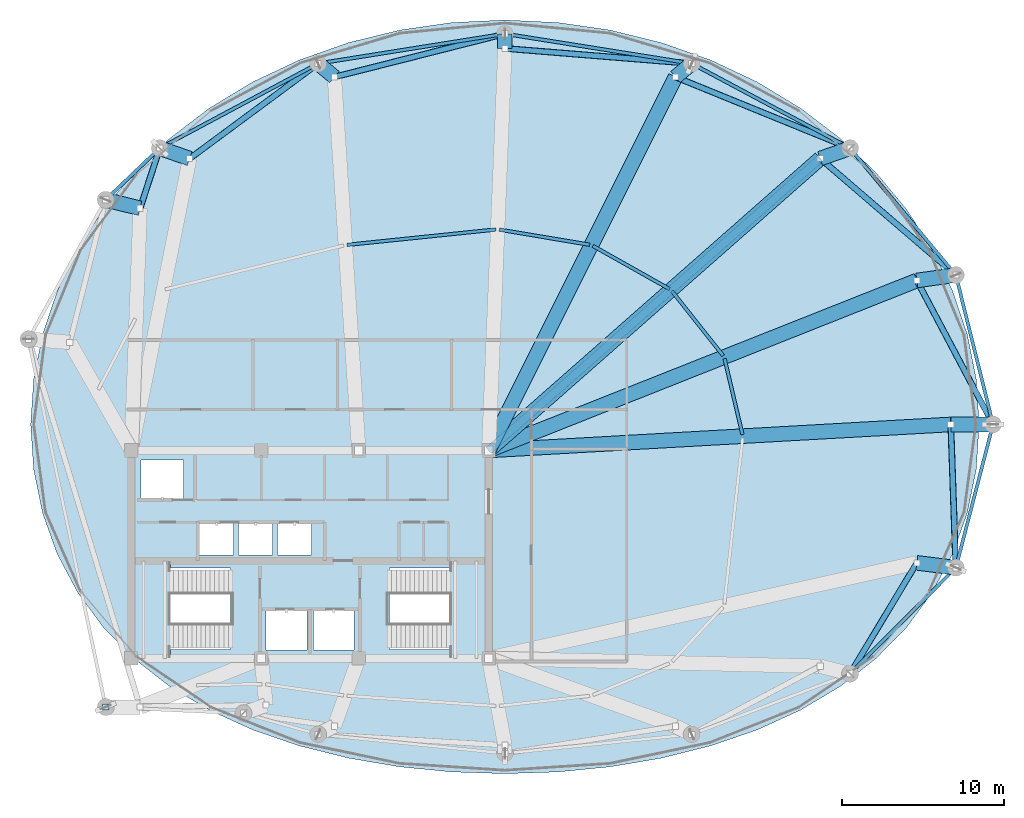
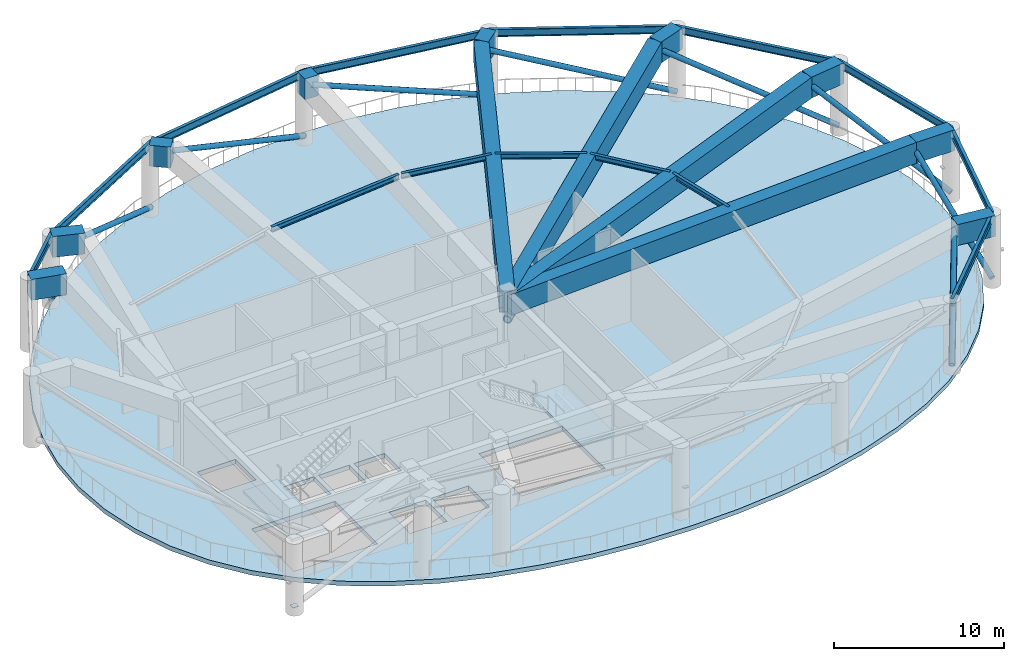
# One storey, part 2 of 9: 27 beams, 10 members, 3 slabs, 1 plate, 2 elements without a shape of their own.
"""IFC4 building model written with IfcOpenShell, lengths in metres."""

from ifc_helpers import new_model, si_unit, direction, frame, origin, origin_2d, place, context, subcontext, project, spatial, polyline, rectangle, hollow_circle, i_section, outline, extrude, material, layer, layer_set, material_profile, profile_set, type_object, element, aggregate, save


model = new_model("IFC4")

# Units and contexts
model_context = context("Model", 3, precision=1e-05, world=origin(), true_north=direction((0.0, 1.0)))
body_context = subcontext(model_context, "Body", "Model", "MODEL_VIEW")
ifc_project = project(units=[si_unit("LENGTHUNIT", "METRE"), si_unit("AREAUNIT", "SQUARE_METRE"), si_unit("VOLUMEUNIT", "CUBIC_METRE"), si_unit("PLANEANGLEUNIT", "RADIAN"), si_unit("MASSUNIT", "GRAM", prefix="KILO")], contexts=[model_context])

# Site, building, storey
site_placement = place(None, origin())
site = spatial("IfcSite", under=ifc_project, at=site_placement, CompositionType="ELEMENT")
building_placement = place(site_placement, origin())
building = spatial("IfcBuilding", under=site, at=building_placement, Name="Kazevale Care Tower and Concert Hall", CompositionType="ELEMENT")
storey_placement = place(building_placement, frame((0.0, 0.0, 253.199951171875)))
storey = spatial("IfcBuildingStorey", under=building, at=storey_placement, Name="L67", CompositionType="ELEMENT", Elevation=253.199951171875)

# Member
ifc_material_1 = material(Name="Steel ASTM A572 Gr 50", Category="steel")
ifc_material_profile_1 = material_profile(ifc_material_1, hollow_circle(Radius=0.25390625, WallThickness=0.031982421875, at=origin_2d()), Name="CHS508x32")
ifc_profile_set_1 = profile_set([ifc_material_profile_1], Name="Steel ASTM A572 Gr 50")
member_type_1 = type_object("IfcMemberType", Name="Outrigger Diagonal CHS508x32", PredefinedType="BRACE", material=ifc_profile_set_1)
member_1_placement = place(storey_placement, frame((44.0, 36.39990234375, 3.10009765625), z_axis=(0.749385950723, 0.659808159056, 0.055442674018), x_axis=(-0.660824591844, 0.750540377871, 0.0)))
element("IfcMember", 1, at=member_1_placement, inside=storey, type_object=member_type_1, Name="brace:L67:outrig:1", PredefinedType="BRACE", context=body_context, shape_type="SweptSolid", body=[
    extrude(hollow_circle(Radius=0.25390625, WallThickness=0.031982421875, at=origin_2d()), origin(), (0.0, 0.0, 1.0), 27.235595703125),
])

# Beams
ifc_material_2 = material(Name="Concrete C60", Category="concrete")
ifc_material_profile_2 = material_profile(ifc_material_2, rectangle(XDim=0.89990234375, YDim=1.5, at=origin_2d()), Name="RC-TG900x1500")
ifc_profile_set_2 = profile_set([ifc_material_profile_2], Name="Concrete C60")
beam_type_1 = type_object("IfcBeamType", Name="Podium Transfer Girder RC900x1500", PredefinedType="BEAM", material=ifc_profile_set_2)
beam_1_placement = place(storey_placement, frame((44.0, 36.39990234375, 4.41015625), z_axis=(0.998422130452, 0.056153801503, 0.0), x_axis=(-0.056153801503, 0.998422130452, 0.0)))
element("IfcBeam", 2, at=beam_1_placement, inside=storey, type_object=beam_type_1, Name="beam:L67:ztg_in:01", PredefinedType="BEAM", context=body_context, shape_type="SweptSolid", body=[
    extrude(rectangle(XDim=0.89990234375, YDim=1.5, at=origin_2d()), origin(), (0.0, 0.0, 1.0), 28.494873046875),
])
beam_2_placement = place(storey_placement, frame((72.449951171875, 38.0, 4.41015625), z_axis=(1.0, 0.0, 0.0), x_axis=(0.0, 1.0, 0.0)))
element("IfcBeam", 3, at=beam_2_placement, inside=storey, type_object=beam_type_1, Name="beam:L67:ztg_out:01", PredefinedType="BEAM", context=body_context, shape_type="SweptSolid", body=[
    extrude(rectangle(XDim=0.89990234375, YDim=1.5, at=origin_2d()), origin(), (0.0, 0.0, 1.0), 2.60009765625),
])
beam_3_placement = place(storey_placement, frame((44.0, 36.39990234375, 4.41015625), z_axis=(0.929492585064, 0.368840798057, 0.0), x_axis=(-0.368840798057, 0.929492585064, 0.0)))
element("IfcBeam", 4, at=beam_3_placement, inside=storey, type_object=beam_type_1, Name="beam:L67:ztg_in:02", PredefinedType="BEAM", context=body_context, shape_type="SweptSolid", body=[
    extrude(rectangle(XDim=0.89990234375, YDim=1.5, at=origin_2d()), origin(), (0.0, 0.0, 1.0), 28.359619140625),
])
beam_4_placement = place(storey_placement, frame((70.360107421875, 46.860107421875, 4.41015625), z_axis=(0.990121997015, 0.140208526942, 0.0), x_axis=(-0.140208526942, 0.990121997015, 0.0)))
element("IfcBeam", 5, at=beam_4_placement, inside=storey, type_object=beam_type_1, Name="beam:L67:ztg_out:02", PredefinedType="BEAM", context=body_context, shape_type="SweptSolid", body=[
    extrude(rectangle(XDim=0.89990234375, YDim=1.5, at=origin_2d()), origin(), (0.0, 0.0, 1.0), 2.423828125),
])
beam_5_placement = place(storey_placement, frame((44.0, 36.39990234375, 4.41015625), z_axis=(0.750540377871, 0.660824591844, 0.0), x_axis=(-0.660824591844, 0.750540377871, 0.0)))
element("IfcBeam", 6, at=beam_5_placement, inside=storey, type_object=beam_type_1, Name="beam:L67:ztg_in:03", PredefinedType="BEAM", context=body_context, shape_type="SweptSolid", body=[
    extrude(rectangle(XDim=0.89990234375, YDim=1.5, at=origin_2d()), origin(), (0.0, 0.0, 1.0), 27.193603515625),
])
beam_6_placement = place(storey_placement, frame((64.409912109375, 54.3701171875, 4.41015625), z_axis=(0.944518772722, 0.328457437084, 0.0), x_axis=(-0.328457437084, 0.944518772722, 0.0)))
element("IfcBeam", 7, at=beam_6_placement, inside=storey, type_object=beam_type_1, Name="beam:L67:ztg_out:03", PredefinedType="BEAM", context=body_context, shape_type="SweptSolid", body=[
    extrude(rectangle(XDim=0.89990234375, YDim=1.5, at=origin_2d()), origin(), (0.0, 0.0, 1.0), 1.9482421875),
])
beam_7_placement = place(storey_placement, frame((44.0, 36.39990234375, 4.41015625), z_axis=(0.447369347408, 0.894349298093, 0.0), x_axis=(-0.894349298093, 0.447369347408, 0.0)))
element("IfcBeam", 8, at=beam_7_placement, inside=storey, type_object=beam_type_1, Name="beam:L67:ztg_in:04", PredefinedType="BEAM", context=body_context, shape_type="SweptSolid", body=[
    extrude(rectangle(XDim=0.89990234375, YDim=1.5, at=origin_2d()), origin(), (0.0, 0.0, 1.0), 25.705810546875),
])
beam_8_placement = place(storey_placement, frame((55.5, 59.389892578125, 4.41015625), z_axis=(0.769451689672, 0.638705015841, 0.0), x_axis=(-0.638705015841, 0.769451689672, 0.0)))
element("IfcBeam", 9, at=beam_8_placement, inside=storey, type_object=beam_type_1, Name="beam:L67:ztg_out:04", PredefinedType="BEAM", context=body_context, shape_type="SweptSolid", body=[
    extrude(rectangle(XDim=0.89990234375, YDim=1.5, at=origin_2d()), origin(), (0.0, 0.0, 1.0), 1.299560546875),
])
beam_9_placement = place(storey_placement, frame((45.0, 61.14990234375, 4.41015625), z_axis=(0.0, 1.0, 0.0), x_axis=(-1.0, 0.0, 0.0)))
element("IfcBeam", 10, at=beam_9_placement, inside=storey, type_object=beam_type_1, Name="beam:L67:ztg_out:05", PredefinedType="BEAM", context=body_context, shape_type="SweptSolid", body=[
    extrude(rectangle(XDim=0.89990234375, YDim=1.5, at=origin_2d()), origin(), (0.0, 0.0, 1.0), 0.900146484375),
])
beam_10_placement = place(storey_placement, frame((34.5, 59.389892578125, 4.41015625), z_axis=(-0.769451689672, 0.638705015841, 0.0), x_axis=(-0.638705015841, -0.769451689672, 0.0)))
element("IfcBeam", 11, at=beam_10_placement, inside=storey, type_object=beam_type_1, Name="beam:L67:ztg_out:06", PredefinedType="BEAM", context=body_context, shape_type="SweptSolid", body=[
    extrude(rectangle(XDim=0.89990234375, YDim=1.5, at=origin_2d()), origin(), (0.0, 0.0, 1.0), 1.299560546875),
])
beam_11_placement = place(storey_placement, frame((25.590087890625, 54.3701171875, 4.41015625), z_axis=(-0.944518772722, 0.328457437084, 0.0), x_axis=(-0.328457437084, -0.944518772722, 0.0)))
element("IfcBeam", 12, at=beam_11_placement, inside=storey, type_object=beam_type_1, Name="beam:L67:ztg_out:07", PredefinedType="BEAM", context=body_context, shape_type="SweptSolid", body=[
    extrude(rectangle(XDim=0.89990234375, YDim=1.5, at=origin_2d()), origin(), (0.0, 0.0, 1.0), 1.9482421875),
])
beam_12_placement = place(storey_placement, frame((22.5400390625, 51.31005859375, 4.41015625), z_axis=(-0.971211820524, 0.23821754695, 0.0), x_axis=(-0.23821754695, -0.971211820524, 0.0)))
element("IfcBeam", 13, at=beam_12_placement, inside=storey, type_object=beam_type_1, Name="beam:L67:ztg_out:08", PredefinedType="BEAM", context=body_context, shape_type="SweptSolid", body=[
    extrude(rectangle(XDim=0.89990234375, YDim=1.5, at=origin_2d()), origin(), (0.0, 0.0, 1.0), 2.182861328125),
])
beam_13_placement = place(storey_placement, frame((70.360107421875, 29.47998046875, 4.41015625), z_axis=(0.992274770448, -0.124059582185, 0.0), x_axis=(0.124059582185, 0.992274770448, 0.0)))
element("IfcBeam", 14, at=beam_13_placement, inside=storey, type_object=beam_type_1, Name="beam:L67:ztg_out:16", PredefinedType="BEAM", context=body_context, shape_type="SweptSolid", body=[
    extrude(rectangle(XDim=0.89990234375, YDim=1.5, at=origin_2d()), origin(), (0.0, 0.0, 1.0), 2.418701171875),
])
ifc_material_profile_3 = material_profile(ifc_material_1, i_section(OverallWidth=0.205078125, OverallDepth=0.35400390625, WebThickness=0.009521484375, FlangeThickness=0.016845703125, at=origin_2d()), Name="W360x79")
ifc_profile_set_3 = profile_set([ifc_material_profile_3], Name="Steel ASTM A572 Gr 50")
beam_type_2 = type_object("IfcBeamType", Name="Secondary Floor Joist W360x79", PredefinedType="JOIST", material=ifc_profile_set_3)
beam_14_placement = place(storey_placement, frame((59.623046875, 37.382080078125, 4.983154296875), z_axis=(-0.2295328947, 0.973300904269, 0.0), x_axis=(-0.973300904269, -0.2295328947, 0.0)))
element("IfcBeam", 15, at=beam_14_placement, inside=storey, type_object=beam_type_2, Name="beam:L67:joist:01", PredefinedType="JOIST", context=body_context, shape_type="SweptSolid", body=[
    extrude(i_section(OverallWidth=0.205078125, OverallDepth=0.35400390625, WebThickness=0.009521484375, FlangeThickness=0.016845703125, at=origin_2d()), origin(), (0.0, 0.0, 1.0), 4.797119140625),
])
beam_15_placement = place(storey_placement, frame((58.43310546875, 42.235107421875, 4.983154296875), z_axis=(-0.621004461172, 0.783807029315, 0.0), x_axis=(-0.783807029315, -0.621004461172, 0.0)))
element("IfcBeam", 16, at=beam_15_placement, inside=storey, type_object=beam_type_2, Name="beam:L67:joist:02", PredefinedType="JOIST", context=body_context, shape_type="SweptSolid", body=[
    extrude(i_section(OverallWidth=0.205078125, OverallDepth=0.35400390625, WebThickness=0.009521484375, FlangeThickness=0.016845703125, at=origin_2d()), origin(), (0.0, 0.0, 1.0), 5.0595703125),
])
beam_16_placement = place(storey_placement, frame((55.134033203125, 46.3349609375, 4.983154296875), z_axis=(-0.871253873352, 0.490832647823, 0.0), x_axis=(-0.490832647823, -0.871253873352, 0.0)))
element("IfcBeam", 17, at=beam_16_placement, inside=storey, type_object=beam_type_2, Name="beam:L67:joist:03", PredefinedType="JOIST", context=body_context, shape_type="SweptSolid", body=[
    extrude(i_section(OverallWidth=0.205078125, OverallDepth=0.35400390625, WebThickness=0.009521484375, FlangeThickness=0.016845703125, at=origin_2d()), origin(), (0.0, 0.0, 1.0), 5.415283203125),
])
beam_17_placement = place(storey_placement, frame((50.220947265625, 49.06201171875, 4.983154296875), z_axis=(-0.986241534462, 0.165310724705, 0.0), x_axis=(-0.165310724705, -0.986241534462, 0.0)))
element("IfcBeam", 18, at=beam_17_placement, inside=storey, type_object=beam_type_2, Name="beam:L67:joist:04", PredefinedType="JOIST", context=body_context, shape_type="SweptSolid", body=[
    extrude(i_section(OverallWidth=0.205078125, OverallDepth=0.35400390625, WebThickness=0.009521484375, FlangeThickness=0.016845703125, at=origin_2d()), origin(), (0.0, 0.0, 1.0), 5.64453125),
])
beam_18_placement = place(storey_placement, frame((44.446044921875, 50.001953125, 4.983154296875), z_axis=(-0.994706089671, -0.10276086401, 0.0), x_axis=(0.10276086401, -0.994706089671, 0.0)))
element("IfcBeam", 19, at=beam_18_placement, inside=storey, type_object=beam_type_2, Name="beam:L67:joist:05", PredefinedType="JOIST", context=body_context, shape_type="SweptSolid", body=[
    extrude(i_section(OverallWidth=0.205078125, OverallDepth=0.35400390625, WebThickness=0.009521484375, FlangeThickness=0.016845703125, at=origin_2d()), origin(), (0.0, 0.0, 1.0), 9.2158203125),
])

# Members
ifc_material_profile_4 = material_profile(ifc_material_1, hollow_circle(Radius=0.177734375, WallThickness=0.02490234375, at=origin_2d()), Name="CHS356x25")
ifc_profile_set_4 = profile_set([ifc_material_profile_4], Name="Steel ASTM A572 Gr 50")
member_type_2 = type_object("IfcMemberType", Name="Upper Belt Diagonal CHS356x25", PredefinedType="BRACE", material=ifc_profile_set_4)
member_2_placement = place(storey_placement, frame((75.050048828125, 38.0, 0.400146484375), z_axis=(-0.431340685309, 0.814876877175, 0.387196188311), x_axis=(-0.883816941519, -0.467832890981, 0.0)))
element("IfcMember", 20, at=member_2_placement, inside=storey, type_object=member_type_2, Name="brace:L67:belt:01", PredefinedType="BRACE", context=body_context, shape_type="SweptSolid", body=[
    extrude(hollow_circle(Radius=0.177734375, WallThickness=0.02490234375, at=origin_2d()), origin(), (0.0, 0.0, 1.0), 10.873046875),
])
member_3_placement = place(storey_placement, frame((72.760009765625, 47.199951171875, 0.400146484375), z_axis=(-0.708605065163, 0.608473836582, 0.357265240152), x_axis=(-0.651468845445, -0.758675387379, 0.0)))
element("IfcMember", 21, at=member_3_placement, inside=storey, type_object=member_type_2, Name="brace:L67:belt:02", PredefinedType="BRACE", context=body_context, shape_type="SweptSolid", body=[
    extrude(hollow_circle(Radius=0.177734375, WallThickness=0.02490234375, at=origin_2d()), origin(), (0.0, 0.0, 1.0), 11.783935546875),
])
member_4_placement = place(storey_placement, frame((66.25, 55.010009765625, 0.400146484375), z_axis=(-0.87059620628, 0.354707847489, 0.340946606584), x_axis=(-0.37731559342, -0.926084738543, 0.0)))
element("IfcMember", 22, at=member_4_placement, inside=storey, type_object=member_type_2, Name="brace:L67:belt:03", PredefinedType="BRACE", context=body_context, shape_type="SweptSolid", body=[
    extrude(hollow_circle(Radius=0.177734375, WallThickness=0.02490234375, at=origin_2d()), origin(), (0.0, 0.0, 1.0), 12.347900390625),
])
member_5_placement = place(storey_placement, frame((56.5, 60.219970703125, 0.400146484375), z_axis=(-0.936357459406, 0.075717254647, 0.342785071968), x_axis=(-0.080600529889, -0.99674648461, 0.0)))
element("IfcMember", 23, at=member_5_placement, inside=storey, type_object=member_type_2, Name="brace:L67:belt:04", PredefinedType="BRACE", context=body_context, shape_type="SweptSolid", body=[
    extrude(hollow_circle(Radius=0.177734375, WallThickness=0.02490234375, at=origin_2d()), origin(), (0.0, 0.0, 1.0), 12.28173828125),
])
member_6_placement = place(storey_placement, frame((45.0, 62.050048828125, 0.400146484375), z_axis=(-0.903528132496, -0.228907238925, 0.362268394642), x_axis=(0.245589172708, -0.969374003287, 0.0)))
element("IfcMember", 24, at=member_6_placement, inside=storey, type_object=member_type_2, Name="brace:L67:belt:05", PredefinedType="BRACE", context=body_context, shape_type="SweptSolid", body=[
    extrude(hollow_circle(Radius=0.177734375, WallThickness=0.02490234375, at=origin_2d()), origin(), (0.0, 0.0, 1.0), 11.62109375),
])
member_7_placement = place(storey_placement, frame((33.5, 60.219970703125, 0.400146484375), z_axis=(-0.739175473636, -0.546664511985, 0.393417755714), x_axis=(0.594614320801, -0.804011075482, 0.0)))
element("IfcMember", 25, at=member_7_placement, inside=storey, type_object=member_type_2, Name="brace:L67:belt:06", PredefinedType="BRACE", context=body_context, shape_type="SweptSolid", body=[
    extrude(hollow_circle(Radius=0.177734375, WallThickness=0.02490234375, at=origin_2d()), origin(), (0.0, 0.0, 1.0), 10.700927734375),
])
member_8_placement = place(storey_placement, frame((23.75, 55.010009765625, 0.400146484375), z_axis=(-0.211019464371, -0.645278446842, 0.734225109689), x_axis=(0.950467892191, -0.31082275643, 0.0)))
element("IfcMember", 26, at=member_8_placement, inside=storey, type_object=member_type_2, Name="brace:L67:belt:07", PredefinedType="BRACE", context=body_context, shape_type="SweptSolid", body=[
    extrude(hollow_circle(Radius=0.177734375, WallThickness=0.02490234375, at=origin_2d()), origin(), (0.0, 0.0, 1.0), 5.73388671875),
])
member_9_placement = place(storey_placement, frame((66.25, 22.64990234375, 0.400146484375), z_axis=(0.455928565885, 0.757651176667, 0.467005179098), x_axis=(-0.856824712689, 0.515607808054, 0.0)))
element("IfcMember", 27, at=member_9_placement, inside=storey, type_object=member_type_2, Name="brace:L67:belt:15", PredefinedType="BRACE", context=body_context, shape_type="SweptSolid", body=[
    extrude(hollow_circle(Radius=0.177734375, WallThickness=0.02490234375, at=origin_2d()), origin(), (0.0, 0.0, 1.0), 9.014892578125),
])
member_10_placement = place(storey_placement, frame((72.760009765625, 29.179931640625, 0.400146484375), z_axis=(-0.031709115999, 0.902011995022, 0.430544878959), x_axis=(-0.999382678569, -0.035132061942, 0.0)))
element("IfcMember", 28, at=member_10_placement, inside=storey, type_object=member_type_2, Name="brace:L67:belt:16", PredefinedType="BRACE", context=body_context, shape_type="SweptSolid", body=[
    extrude(hollow_circle(Radius=0.177734375, WallThickness=0.02490234375, at=origin_2d()), origin(), (0.0, 0.0, 1.0), 9.7783203125),
])

# Beams
ifc_material_profile_5 = material_profile(ifc_material_1, i_section(OverallWidth=0.208984375, OverallDepth=0.532958984375, WebThickness=0.01025390625, FlangeThickness=0.015625, at=origin_2d()), Name="W530x92")
ifc_profile_set_5 = profile_set([ifc_material_profile_5], Name="Steel ASTM A572 Gr 50")
beam_type_3 = type_object("IfcBeamType", Name="Upper Ring Beam W530x92", PredefinedType="BEAM", material=ifc_profile_set_5)
beam_19_placement = place(storey_placement, frame((75.050048828125, 38.0, 4.8935546875), z_axis=(-0.241547858543, 0.970388907621, 0.0), x_axis=(-0.970388907621, -0.241547858543, 0.0)))
element("IfcBeam", 29, at=beam_19_placement, inside=storey, type_object=beam_type_3, Name="beam:L67:ring:01", PredefinedType="BEAM", context=body_context, shape_type="SweptSolid", body=[
    extrude(i_section(OverallWidth=0.208984375, OverallDepth=0.532958984375, WebThickness=0.01025390625, FlangeThickness=0.015625, at=origin_2d()), origin(), (0.0, 0.0, 1.0), 9.480712890625),
])
beam_20_placement = place(storey_placement, frame((72.760009765625, 47.199951171875, 4.8935546875), z_axis=(-0.640278868102, 0.768142546056, 0.0), x_axis=(-0.768142546056, -0.640278868102, 0.0)))
element("IfcBeam", 30, at=beam_20_placement, inside=storey, type_object=beam_type_3, Name="beam:L67:ring:02", PredefinedType="BEAM", context=body_context, shape_type="SweptSolid", body=[
    extrude(i_section(OverallWidth=0.208984375, OverallDepth=0.532958984375, WebThickness=0.01025390625, FlangeThickness=0.015625, at=origin_2d()), origin(), (0.0, 0.0, 1.0), 10.16748046875),
])
beam_21_placement = place(storey_placement, frame((66.25, 55.010009765625, 4.8935546875), z_axis=(-0.881978519833, 0.471289603697, 0.0), x_axis=(-0.471289603697, -0.881978519833, 0.0)))
element("IfcBeam", 31, at=beam_21_placement, inside=storey, type_object=beam_type_3, Name="beam:L67:ring:03", PredefinedType="BEAM", context=body_context, shape_type="SweptSolid", body=[
    extrude(i_section(OverallWidth=0.208984375, OverallDepth=0.532958984375, WebThickness=0.01025390625, FlangeThickness=0.015625, at=origin_2d()), origin(), (0.0, 0.0, 1.0), 11.0546875),
])
for number, where, z_axis, x_axis, name in (
    (32, (56.5, 60.219970703125, 4.8935546875), (-0.987573207584, 0.15715966296, 0.0), (-0.15715966296, -0.987573207584, 0.0), "beam:L67:ring:04"),
    (33, (45.0, 62.050048828125, 4.8935546875), (-0.987573207584, -0.15715966296, 0.0), (0.15715966296, -0.987573207584, 0.0), "beam:L67:ring:05"),
):
    element("IfcBeam", number, at=place(storey_placement, frame(where, z_axis=z_axis, x_axis=x_axis)), inside=storey, type_object=beam_type_3, Name=name, PredefinedType="BEAM", context=body_context, shape_type="SweptSolid", body=[
        extrude(i_section(OverallWidth=0.208984375, OverallDepth=0.532958984375, WebThickness=0.01025390625, FlangeThickness=0.015625, at=origin_2d()), origin(), (0.0, 0.0, 1.0), 11.644775390625),
    ])
beam_22_placement = place(storey_placement, frame((33.5, 60.219970703125, 4.8935546875), z_axis=(-0.881978519833, -0.471289603697, 0.0), x_axis=(0.471289603697, -0.881978519833, 0.0)))
element("IfcBeam", 34, at=beam_22_placement, inside=storey, type_object=beam_type_3, Name="beam:L67:ring:06", PredefinedType="BEAM", context=body_context, shape_type="SweptSolid", body=[
    extrude(i_section(OverallWidth=0.208984375, OverallDepth=0.532958984375, WebThickness=0.01025390625, FlangeThickness=0.015625, at=origin_2d()), origin(), (0.0, 0.0, 1.0), 11.0546875),
])
beam_23_placement = place(storey_placement, frame((23.75, 55.010009765625, 4.8935546875), z_axis=(-0.723223118589, -0.690614451585, 0.0), x_axis=(0.690614451585, -0.723223118589, 0.0)))
element("IfcBeam", 35, at=beam_23_placement, inside=storey, type_object=beam_type_3, Name="beam:L67:ring:07", PredefinedType="BEAM", context=body_context, shape_type="SweptSolid", body=[
    extrude(i_section(OverallWidth=0.208984375, OverallDepth=0.532958984375, WebThickness=0.01025390625, FlangeThickness=0.015625, at=origin_2d()), origin(), (0.0, 0.0, 1.0), 4.6044921875),
])
beam_24_placement = place(storey_placement, frame((66.25, 22.64990234375, 4.8935546875), z_axis=(0.706020373708, 0.708191522054, 0.0), x_axis=(-0.708191522054, 0.706020373708, 0.0)))
element("IfcBeam", 36, at=beam_24_placement, inside=storey, type_object=beam_type_3, Name="beam:L67:ring:15", PredefinedType="BEAM", context=body_context, shape_type="SweptSolid", body=[
    extrude(i_section(OverallWidth=0.208984375, OverallDepth=0.532958984375, WebThickness=0.01025390625, FlangeThickness=0.015625, at=origin_2d()), origin(), (0.0, 0.0, 1.0), 9.220703125),
])
beam_25_placement = place(storey_placement, frame((72.760009765625, 29.179931640625, 4.8935546875), z_axis=(0.251307095899, 0.96790740443, 0.0), x_axis=(-0.96790740443, 0.251307095899, 0.0)))
element("IfcBeam", 37, at=beam_25_placement, inside=storey, type_object=beam_type_3, Name="beam:L67:ring:16", PredefinedType="BEAM", context=body_context, shape_type="SweptSolid", body=[
    extrude(i_section(OverallWidth=0.208984375, OverallDepth=0.532958984375, WebThickness=0.01025390625, FlangeThickness=0.015625, at=origin_2d()), origin(), (0.0, 0.0, 1.0), 9.112548828125),
])

# Plate
ifc_layer_1 = layer(ifc_material_1, 0.02490234375)
ifc_layer_set_1 = layer_set([ifc_layer_1], Name="Steel ASTM A572 Gr 50")
plate_type = type_object("IfcPlateType", Name="Hollow Section End Cap Plate 25mm", PredefinedType="USERDEFINED", material=ifc_layer_set_1)
plate_placement = place(storey_placement, frame((20.419921875, 20.60009765625, 0.3876953125), z_axis=(0.0, 0.0, 1.0), x_axis=(1.0, 0.0, 0.0)))
element("IfcPlate", 38, at=plate_placement, inside=storey, type_object=plate_type, Name="brace:L67:belt:10:cap0", ObjectType="END_CAP_PLATE", PredefinedType="USERDEFINED", context=body_context, shape_type="SweptSolid", body=[
    extrude(rectangle(XDim=0.3798828125, YDim=0.3798828125, at=origin_2d()), origin(), (0.0, 0.0, 1.0), 0.02490234375),
])

# Stair, slab
ifc_material_3 = material(Name="Concrete C40", Category="concrete")
stair_type = type_object("IfcStairType", Name="Exit Stair Assembly ST1-W", PredefinedType="HALF_TURN_STAIR", material=ifc_material_3)
stair_1_placement = place(storey_placement, origin())
stair_1 = element("IfcStair", 39, at=stair_1_placement, inside=storey, type_object=stair_type, Name="stair:L67:ST1", PredefinedType="HALF_TURN_STAIR")
ifc_layer_2 = layer(ifc_material_3, 0.199951171875)
ifc_layer_set_2 = layer_set([ifc_layer_2], Name="Concrete C40")
slab_type_1 = type_object("IfcSlabType", Name="Stair Half-Landing Slab ST1-W", PredefinedType="LANDING", material=ifc_layer_set_2)
slab_1_placement = place(storey_placement, frame((0.0, 0.0, 2.5)))
slab_1 = element("IfcSlab", 40, at=slab_1_placement, type_object=slab_type_1, Name="ST1-W landing 1", PredefinedType="LANDING", context=body_context, shape_type="SweptSolid", body=[
    extrude(outline(polyline([(22.050048828125, 23.699951171875), (24.409912109375, 23.699951171875), (24.409912109375, 29.5), (22.050048828125, 29.5), (22.050048828125, 23.699951171875)])), origin(), (0.0, 0.0, 1.0), 0.199951171875),
])
aggregate(stair_1, [slab_1])

stair_2_placement = place(storey_placement, origin())
stair_2 = element("IfcStair", 41, at=stair_2_placement, inside=storey, type_object=stair_type, Name="stair:L67:ST2", PredefinedType="HALF_TURN_STAIR")
slab_2_placement = place(storey_placement, frame((0.0, 0.0, 2.5)))
slab_2 = element("IfcSlab", 42, at=slab_2_placement, type_object=slab_type_1, Name="ST1-W landing 1", PredefinedType="LANDING", context=body_context, shape_type="SweptSolid", body=[
    extrude(outline(polyline([(41.590087890625, 23.699951171875), (43.949951171875, 23.699951171875), (43.949951171875, 29.5), (41.590087890625, 29.5), (41.590087890625, 23.699951171875)])), origin(), (0.0, 0.0, 1.0), 0.199951171875),
])
aggregate(stair_2, [slab_2])

# Slab
ifc_material_4 = material(Name="Concrete C50", Category="concrete")
ifc_layer_3 = layer(ifc_material_4, 0.320068359375)
ifc_layer_set_3 = layer_set([ifc_layer_3], Name="Concrete C50")
slab_type_2 = type_object("IfcSlabType", Name="Transfer & Refuge Floor Slab 320", PredefinedType="FLOOR", material=ifc_layer_set_3)
slab_3_placement = place(storey_placement, frame((0.0, 0.0, -0.320068359375)))
element("IfcSlab", 43, at=slab_3_placement, inside=storey, type_object=slab_type_2, Name="slab:L67:tw:1", PredefinedType="FLOOR", context=body_context, shape_type="SweptSolid", body=[
    extrude(outline(polyline([(74.199951171875, 38.0), (74.016357421875, 40.787841796875), (73.468017578125, 43.540771484375), (72.561279296875, 46.223876953125), (71.308349609375, 48.8037109375), (69.724365234375, 51.24755859375), (67.82958984375, 53.52490234375), (65.6474609375, 55.60693359375), (63.205810546875, 57.467529296875), (60.535400390625, 59.08349609375), (57.66943359375, 60.43408203125), (54.64404296875, 61.502685546875), (51.49755859375, 62.275634765625), (48.269287109375, 62.743408203125), (45.0, 62.89990234375), (41.730712890625, 62.743408203125), (38.50244140625, 62.275634765625), (35.35595703125, 61.502685546875), (32.33056640625, 60.43408203125), (29.464599609375, 59.08349609375), (26.794189453125, 57.467529296875), (24.3525390625, 55.60693359375), (22.17041015625, 53.52490234375), (20.275634765625, 51.24755859375), (18.691650390625, 48.8037109375), (17.438720703125, 46.223876953125), (16.531982421875, 43.540771484375), (15.983642578125, 40.787841796875), (15.800048828125, 38.0), (15.983642578125, 35.229736328125), (16.531982421875, 32.551513671875), (17.438720703125, 30.01416015625), (18.691650390625, 27.654541015625), (20.275634765625, 25.5), (22.17041015625, 23.569091796875), (24.3525390625, 21.873046875), (26.794189453125, 20.415771484375), (29.464599609375, 19.197265625), (32.33056640625, 18.212890625), (35.35595703125, 17.457275390625), (38.50244140625, 16.92333984375), (41.730712890625, 16.60546875), (45.0, 16.5), (48.269287109375, 16.60546875), (51.49755859375, 16.92333984375), (54.64404296875, 17.457275390625), (57.66943359375, 18.212890625), (60.535400390625, 19.197265625), (63.205810546875, 20.415771484375), (65.6474609375, 21.873046875), (67.82958984375, 23.569091796875), (69.724365234375, 25.5), (71.308349609375, 27.654541015625), (72.561279296875, 30.01416015625), (73.468017578125, 32.551513671875), (74.016357421875, 35.229736328125), (74.199951171875, 38.0)]), holes=[polyline([(22.449951171875, 24.14990234375), (28.110107421875, 24.14990234375), (28.110107421875, 29.14990234375), (22.449951171875, 29.14990234375), (22.449951171875, 24.14990234375)]), polyline([(37.889892578125, 24.14990234375), (43.550048828125, 24.14990234375), (43.550048828125, 29.14990234375), (37.889892578125, 29.14990234375), (37.889892578125, 24.14990234375)]), polyline([(30.300048828125, 24.10009765625), (32.800048828125, 24.10009765625), (32.800048828125, 26.60009765625), (30.300048828125, 26.60009765625), (30.300048828125, 24.10009765625)]), polyline([(33.199951171875, 24.10009765625), (35.699951171875, 24.10009765625), (35.699951171875, 26.60009765625), (33.199951171875, 26.60009765625), (33.199951171875, 24.10009765625)]), polyline([(22.60009765625, 33.39990234375), (25.199951171875, 33.39990234375), (25.199951171875, 35.800048828125), (22.60009765625, 35.800048828125), (22.60009765625, 33.39990234375)]), polyline([(26.199951171875, 29.949951171875), (28.300048828125, 29.949951171875), (28.300048828125, 31.949951171875), (26.199951171875, 31.949951171875), (26.199951171875, 29.949951171875)]), polyline([(28.60009765625, 29.949951171875), (30.699951171875, 29.949951171875), (30.699951171875, 31.949951171875), (28.60009765625, 31.949951171875), (28.60009765625, 29.949951171875)]), polyline([(31.0, 29.949951171875), (33.10009765625, 29.949951171875), (33.10009765625, 31.949951171875), (31.0, 31.949951171875), (31.0, 29.949951171875)])]), origin(), (0.0, 0.0, 1.0), 0.320068359375),
])

save(model, "model.ifc")
